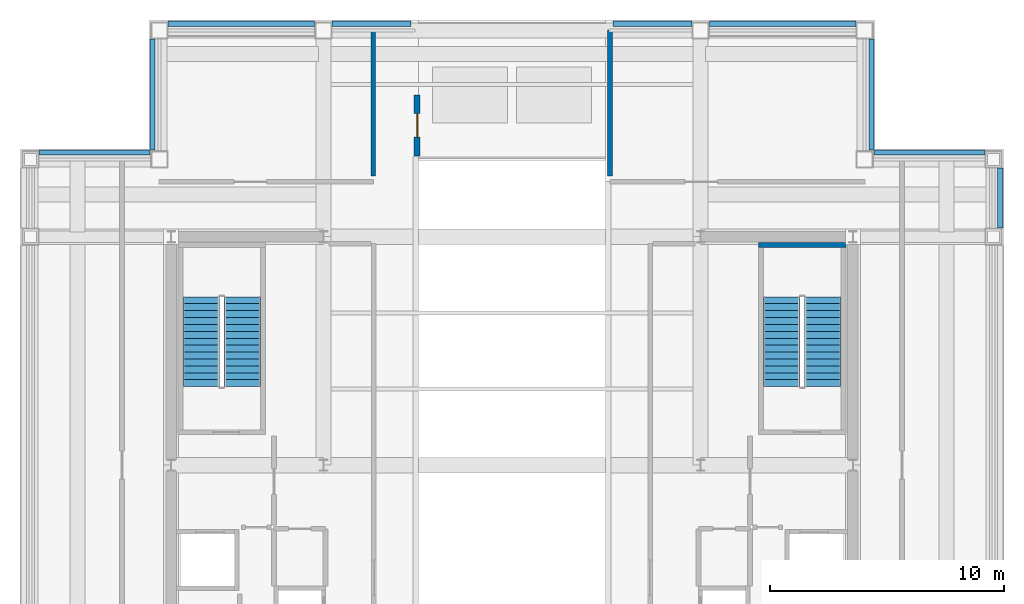
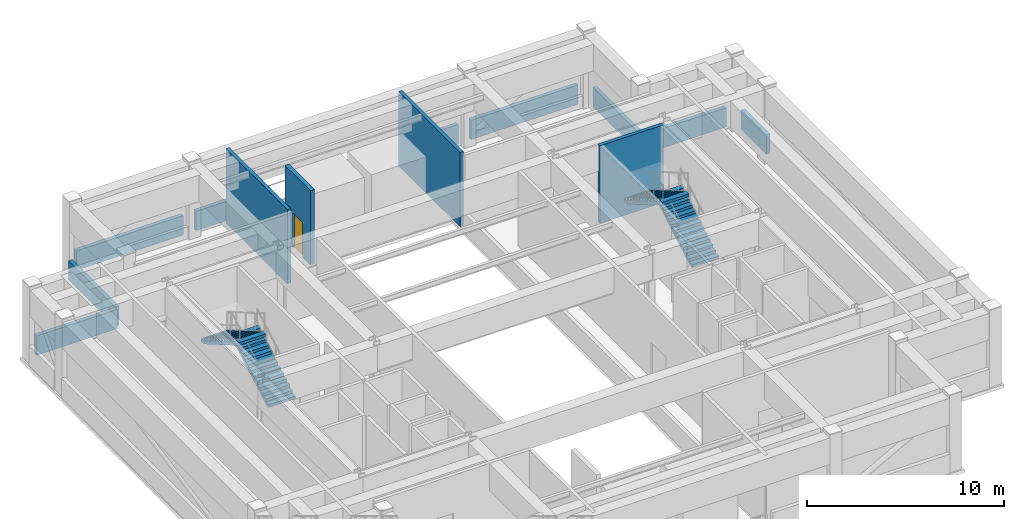
# One storey, part 5 of 8: 13 walls, 4 stair flights, 1 door, 1 opening, 2 elements without a shape of their own.
"""IFC4 building model written with IfcOpenShell, lengths in metres."""

from ifc_helpers import new_model, si_unit, direction, frame, frame_2d, origin, place, context, subcontext, project, spatial, polyline, rectangle, outline, extrude, material, layer, layer_set, type_object, element, fill, aggregate, save


model = new_model("IFC4")

# Units and contexts
model_context = context("Model", 3, precision=1e-05, world=origin(), true_north=direction((0.0, 1.0)))
body_context = subcontext(model_context, "Body", "Model", "MODEL_VIEW")
ifc_project = project(units=[si_unit("LENGTHUNIT", "METRE"), si_unit("AREAUNIT", "SQUARE_METRE"), si_unit("VOLUMEUNIT", "CUBIC_METRE"), si_unit("PLANEANGLEUNIT", "RADIAN"), si_unit("MASSUNIT", "GRAM", prefix="KILO")], contexts=[model_context])

# Site, building, storey
site_placement = place(None, origin())
site = spatial("IfcSite", under=ifc_project, at=site_placement, CompositionType="ELEMENT")
building_placement = place(site_placement, origin())
building = spatial("IfcBuilding", under=site, at=building_placement, Name="Brelmoor Portico Tower", CompositionType="ELEMENT")
storey_placement = place(building_placement, frame((0.0, 0.0, 209.10009765625)))
storey = spatial("IfcBuildingStorey", under=building, at=storey_placement, Name="L55", CompositionType="ELEMENT", Elevation=209.10009765625)

# Wall, opening, door
ifc_material_1 = material(Name="Precast Concrete C40 Insulated Facade Wall", Category="concrete")
ifc_layer_1 = layer(ifc_material_1, 0.25)
ifc_layer_set_1 = layer_set([ifc_layer_1], Name="Precast Concrete C40 Insulated Facade Wall")
wall_type_1 = type_object("IfcWallType", Name="WL-EXT-250", PredefinedType="STANDARD", material=ifc_layer_set_1)
wall_1_placement = place(storey_placement, frame((-4.050048828125, 13.199951171875, 0.0), z_axis=(0.0, 0.0, 1.0), x_axis=(0.0, 1.0, 0.0)))
wall_1 = element("IfcWall", 1, at=wall_1_placement, inside=storey, type_object=wall_type_1, Name="L55 Turbine Deck Access Wall N", PredefinedType="STANDARD", context=body_context, shape_type="SweptSolid", body=[
    extrude(rectangle(XDim=2.60009765625, YDim=0.25, at=frame_2d((1.300048828125, 0.0))), origin(), (0.0, 0.0, 1.0), 4.599853515625),
])
opening_placement = place(wall_1_placement, frame((0.800048828125, 0.0, 0.0)))
opening = element("IfcOpeningElement", 2, at=opening_placement, cuts=wall_1, Name="Opening D-DM1", PredefinedType="OPENING", context=body_context, shape_type="SweptSolid", body=[
    extrude(rectangle(XDim=1.0, YDim=2.14990234375, at=frame_2d((0.5, 1.074951171875))), frame((0.0, 0.135009765625, 0.0), z_axis=(0.0, -1.0, 0.0), x_axis=(1.0, 0.0, 0.0)), (0.0, 0.0, 1.0), 0.27001953125),
])
ifc_material_2 = material(Name="Weatherproof Galvanised Steel Deck Access Door", Category="steel")
door_type = type_object("IfcDoorType", Name="DR-DECK-MAINT-1000", OperationType="NOTDEFINED", PredefinedType="DOOR", material=ifc_material_2)
door_placement = place(opening_placement, origin())
door = element("IfcDoor", 3, at=door_placement, inside=storey, type_object=door_type, Name="D-2316 L55 Wind-Turbine Deck Maintenance Door N", OperationType="SINGLE_SWING_LEFT", OverallHeight=2.14990234375, OverallWidth=1.0, PredefinedType="DOOR", context=body_context, shape_type="SweptSolid", body=[
    extrude(rectangle(XDim=1.0, YDim=2.14990234375, at=frame_2d((0.5, 1.074951171875))), frame((0.0, 0.02490234375, 0.0), z_axis=(0.0, -1.0, 0.0), x_axis=(1.0, 0.0, 0.0)), (0.0, 0.0, 1.0), 0.050048828125),
])
fill(opening, door)

# Walls
ifc_material_3 = material(Name="Concrete C40 Parapet Upstand", Category="concrete")
ifc_layer_2 = layer(ifc_material_3, 0.219970703125)
ifc_layer_set_2 = layer_set([ifc_layer_2], Name="Concrete C40 Parapet Upstand")
wall_type_2 = type_object("IfcWallType", Name="WL-PARAPET-220", PredefinedType="PARAPET", material=ifc_layer_set_2)
wall_2_placement = place(storey_placement, frame((-14.679931640625, 18.840087890625, 0.0), z_axis=(0.0, 0.0, 1.0), x_axis=(1.0, 0.0, 0.0)))
element("IfcWall", 4, at=wall_2_placement, inside=storey, type_object=wall_type_2, Name="L55 Plant Louvre Perimeter Upstand 05", PredefinedType="PARAPET", context=body_context, shape_type="SweptSolid", body=[
    extrude(rectangle(XDim=6.260009765625, YDim=0.219970703125, at=frame_2d((3.1298828125, 0.0))), origin(), (0.0, 0.0, 1.0), 1.199951171875),
])
for number, where, z_axis, x_axis, name in (
    (5, (-7.679931640625, 18.840087890625, 0.0), (0.0, 0.0, 1.0), (1.0, 0.0, 0.0), "L55 Plant Louvre Perimeter Upstand 06"),
    (6, (4.320068359375, 18.840087890625, 0.0), (0.0, 0.0, 1.0), (1.0, 0.0, 0.0), "L55 Plant Louvre Perimeter Upstand 07"),
):
    element("IfcWall", number, at=place(storey_placement, frame(where, z_axis=z_axis, x_axis=x_axis)), inside=storey, type_object=wall_type_2, Name=name, PredefinedType="PARAPET", context=body_context, shape_type="SweptSolid", body=[
        extrude(rectangle(XDim=3.35986328125, YDim=0.219970703125, at=frame_2d((1.679931640625, 0.0))), origin(), (0.0, 0.0, 1.0), 1.199951171875),
    ])
wall_3_placement = place(storey_placement, frame((8.419921875, 18.840087890625, 0.0), z_axis=(0.0, 0.0, 1.0), x_axis=(1.0, 0.0, 0.0)))
element("IfcWall", 7, at=wall_3_placement, inside=storey, type_object=wall_type_2, Name="L55 Plant Louvre Perimeter Upstand 08", PredefinedType="PARAPET", context=body_context, shape_type="SweptSolid", body=[
    extrude(rectangle(XDim=6.260009765625, YDim=0.219970703125, at=frame_2d((3.1298828125, 0.0))), origin(), (0.0, 0.0, 1.0), 1.199951171875),
])
wall_4_placement = place(storey_placement, frame((20.840087890625, 10.1201171875, 0.0), z_axis=(0.0, 0.0, 1.0), x_axis=(0.0, 1.0, 0.0)))
element("IfcWall", 8, at=wall_4_placement, inside=storey, type_object=wall_type_2, Name="L55 Plant Louvre Perimeter Upstand 14", PredefinedType="PARAPET", context=body_context, shape_type="SweptSolid", body=[
    extrude(rectangle(XDim=2.559814453125, YDim=0.219970703125, at=frame_2d((1.27978515625, 0.0))), origin(), (0.0, 0.0, 1.0), 1.199951171875),
])
for number, where, z_axis, x_axis, name in (
    (9, (-15.340087890625, 13.4599609375, 0.0), (0.0, 0.0, 1.0), (0.0, 1.0, 0.0), "L55 Plant Louvre Perimeter Upstand 19"),
    (10, (-20.179931640625, 13.340087890625, 0.0), (0.0, 0.0, 1.0), (1.0, 0.0, 0.0), "L55 Plant Louvre Perimeter Upstand 20"),
    (11, (15.340087890625, 13.4599609375, 0.0), (0.0, 0.0, 1.0), (0.0, 1.0, 0.0), "L55 Plant Louvre Perimeter Upstand 21"),
    (12, (15.4599609375, 13.340087890625, 0.0), (0.0, 0.0, 1.0), (1.0, 0.0, 0.0), "L55 Plant Louvre Perimeter Upstand 22"),
):
    element("IfcWall", number, at=place(storey_placement, frame(where, z_axis=z_axis, x_axis=x_axis)), inside=storey, type_object=wall_type_2, Name=name, PredefinedType="PARAPET", context=body_context, shape_type="SweptSolid", body=[
        extrude(rectangle(XDim=4.719970703125, YDim=0.219970703125, at=frame_2d((2.35986328125, 0.0))), origin(), (0.0, 0.0, 1.0), 1.199951171875),
    ])
ifc_material_4 = material(Name="Double-Stud Gypsum Fire Partition", Category="gypsum")
ifc_layer_3 = layer(ifc_material_4, 0.199951171875)
ifc_layer_set_3 = layer_set([ifc_layer_3], Name="Double-Stud Gypsum Fire Partition")
wall_type_3 = type_object("IfcWallType", Name="WL-PART-200", PredefinedType="PARTITIONING", material=ifc_layer_set_3)
for number, where, z_axis, x_axis, name in (
    (13, (-5.919921875, 12.340087890625, 0.0), (0.0, 0.0, 1.0), (0.0, 1.0, 0.0), "L55 NW Slot End Wall"),
    (14, (4.179931640625, 12.340087890625, 0.0), (0.0, 0.0, 1.0), (0.0, 1.0, 0.0), "L55 NE Slot End Wall"),
):
    element("IfcWall", number, at=place(storey_placement, frame(where, z_axis=z_axis, x_axis=x_axis)), inside=storey, type_object=wall_type_3, Name=name, PredefinedType="PARTITIONING", context=body_context, shape_type="SweptSolid", body=[
        extrude(rectangle(XDim=6.22998046875, YDim=0.199951171875, at=frame_2d((3.114990234375, 0.0))), origin(), (0.0, 0.0, 1.0), 4.599853515625),
    ])
ifc_material_5 = material(Name="Concrete C40", Category="concrete")
ifc_layer_4 = layer(ifc_material_5, 0.199951171875)
ifc_layer_set_4 = layer_set([ifc_layer_4], Name="Concrete C40")
wall_type_4 = type_object("IfcWallType", Name="WL-SHAFT-RC200", PredefinedType="SOLIDWALL", material=ifc_layer_set_4)
wall_5_placement = place(storey_placement, frame((10.530029296875, 9.39990234375, -0.2001953125), z_axis=(0.0, 0.0, 1.0), x_axis=(1.0, 0.0, 0.0)))
element("IfcWall", 15, at=wall_5_placement, inside=storey, type_object=wall_type_4, Name="L55 ST-E Structural Stair Wall N", PredefinedType="SOLIDWALL", context=body_context, shape_type="SweptSolid", body=[
    extrude(rectangle(XDim=3.719970703125, YDim=0.199951171875, at=frame_2d((1.85986328125, 0.0))), origin(), (0.0, 0.0, 1.0), 4.800048828125),
])

# Stair, stair flights
stair_type_1 = type_object("IfcStairType", Name="ST-CORE-W", PredefinedType="HALF_TURN_STAIR", material=ifc_material_5)
stair_1_placement = place(storey_placement, origin())
stair_1 = element("IfcStair", 16, at=stair_1_placement, inside=storey, type_object=stair_type_1, Name="L55 Protected Core Exit Stair ST-W", PredefinedType="HALF_TURN_STAIR")
stair_flight_type = type_object("IfcStairFlightType", Name="SF-CORE-1850", PredefinedType="STRAIGHT", material=ifc_material_5)
stair_flight_1_placement = place(storey_placement, frame((-11.510009765625, 3.35009765625, 0.0), z_axis=(0.0, 0.0, 1.0), x_axis=(0.0, 1.0, 0.0)))
stair_flight_1 = element("IfcStairFlight", 17, at=stair_flight_1_placement, type_object=stair_flight_type, Name="ST-W flight 1", NumberOfRisers=14, NumberOfTreads=13, PredefinedType="STRAIGHT", RiserHeight=0.171428571, TreadLength=0.295, context=body_context, shape_type="SweptSolid", body=[
    extrude(outline(polyline([(0.0, 0.0), (0.0, 0.17138671875), (0.294921875, 0.17138671875), (0.294921875, 0.3427734375), (0.590087890625, 0.3427734375), (0.590087890625, 0.514404296875), (0.885009765625, 0.514404296875), (0.885009765625, 0.685791015625), (1.179931640625, 0.685791015625), (1.179931640625, 0.857177734375), (1.47509765625, 0.857177734375), (1.47509765625, 1.028564453125), (1.77001953125, 1.028564453125), (1.77001953125, 1.199951171875), (2.06494140625, 1.199951171875), (2.06494140625, 1.371337890625), (2.360107421875, 1.371337890625), (2.360107421875, 1.54296875), (2.655029296875, 1.54296875), (2.655029296875, 1.71435546875), (2.949951171875, 1.71435546875), (2.949951171875, 1.8857421875), (3.2451171875, 1.8857421875), (3.2451171875, 2.05712890625), (3.5400390625, 2.05712890625), (3.5400390625, 2.228515625), (3.8349609375, 2.228515625), (3.8349609375, 2.39990234375), (3.8349609375, 2.05517578125), (0.29833984375, 0.0), (0.0, 0.0)])), frame((0.0, 0.780029296875, 0.0), z_axis=(0.0, -1.0, 0.0), x_axis=(1.0, 0.0, 0.0)), (0.0, 0.0, 1.0), 1.56005859375),
])
stair_flight_2_placement = place(storey_placement, frame((-13.27001953125, 7.18505859375, 2.39990234375), z_axis=(0.0, 0.0, 1.0), x_axis=(0.0, -1.0, 0.0)))
stair_flight_2 = element("IfcStairFlight", 18, at=stair_flight_2_placement, type_object=stair_flight_type, Name="ST-W flight 2", NumberOfRisers=14, NumberOfTreads=13, PredefinedType="STRAIGHT", RiserHeight=0.171428571, TreadLength=0.295, context=body_context, shape_type="SweptSolid", body=[
    extrude(outline(polyline([(0.0, 0.0), (0.0, 0.17138671875), (0.294921875, 0.17138671875), (0.294921875, 0.3427734375), (0.590087890625, 0.3427734375), (0.590087890625, 0.514404296875), (0.885009765625, 0.514404296875), (0.885009765625, 0.685791015625), (1.179931640625, 0.685791015625), (1.179931640625, 0.857177734375), (1.47509765625, 0.857177734375), (1.47509765625, 1.028564453125), (1.77001953125, 1.028564453125), (1.77001953125, 1.199951171875), (2.06494140625, 1.199951171875), (2.06494140625, 1.371337890625), (2.360107421875, 1.371337890625), (2.360107421875, 1.54296875), (2.655029296875, 1.54296875), (2.655029296875, 1.71435546875), (2.949951171875, 1.71435546875), (2.949951171875, 1.8857421875), (3.2451171875, 1.8857421875), (3.2451171875, 2.05712890625), (3.5400390625, 2.05712890625), (3.5400390625, 2.228515625), (3.8349609375, 2.228515625), (3.8349609375, 2.39990234375), (3.8349609375, 2.05517578125), (0.29833984375, 0.0), (0.0, 0.0)])), frame((0.0, 0.780029296875, 0.0), z_axis=(0.0, -1.0, 0.0), x_axis=(1.0, 0.0, 0.0)), (0.0, 0.0, 1.0), 1.56005859375),
])
aggregate(stair_1, [stair_flight_1, stair_flight_2])

stair_type_2 = type_object("IfcStairType", Name="ST-CORE-E", PredefinedType="HALF_TURN_STAIR", material=ifc_material_5)
stair_2_placement = place(storey_placement, origin())
stair_2 = element("IfcStair", 19, at=stair_2_placement, inside=storey, type_object=stair_type_2, Name="L55 Protected Core Exit Stair ST-E", PredefinedType="HALF_TURN_STAIR")
stair_flight_3_placement = place(storey_placement, frame((13.27001953125, 3.35009765625, 0.0), z_axis=(0.0, 0.0, 1.0), x_axis=(0.0, 1.0, 0.0)))
stair_flight_3 = element("IfcStairFlight", 20, at=stair_flight_3_placement, type_object=stair_flight_type, Name="ST-E flight 1", NumberOfRisers=14, NumberOfTreads=13, PredefinedType="STRAIGHT", RiserHeight=0.171428571, TreadLength=0.295, context=body_context, shape_type="SweptSolid", body=[
    extrude(outline(polyline([(0.0, 0.0), (0.0, 0.17138671875), (0.294921875, 0.17138671875), (0.294921875, 0.3427734375), (0.590087890625, 0.3427734375), (0.590087890625, 0.514404296875), (0.885009765625, 0.514404296875), (0.885009765625, 0.685791015625), (1.179931640625, 0.685791015625), (1.179931640625, 0.857177734375), (1.47509765625, 0.857177734375), (1.47509765625, 1.028564453125), (1.77001953125, 1.028564453125), (1.77001953125, 1.199951171875), (2.06494140625, 1.199951171875), (2.06494140625, 1.371337890625), (2.360107421875, 1.371337890625), (2.360107421875, 1.54296875), (2.655029296875, 1.54296875), (2.655029296875, 1.71435546875), (2.949951171875, 1.71435546875), (2.949951171875, 1.8857421875), (3.2451171875, 1.8857421875), (3.2451171875, 2.05712890625), (3.5400390625, 2.05712890625), (3.5400390625, 2.228515625), (3.8349609375, 2.228515625), (3.8349609375, 2.39990234375), (3.8349609375, 2.05517578125), (0.29833984375, 0.0), (0.0, 0.0)])), frame((0.0, 0.780029296875, 0.0), z_axis=(0.0, -1.0, 0.0), x_axis=(1.0, 0.0, 0.0)), (0.0, 0.0, 1.0), 1.56005859375),
])
stair_flight_4_placement = place(storey_placement, frame((11.510009765625, 7.18505859375, 2.39990234375), z_axis=(0.0, 0.0, 1.0), x_axis=(0.0, -1.0, 0.0)))
stair_flight_4 = element("IfcStairFlight", 21, at=stair_flight_4_placement, type_object=stair_flight_type, Name="ST-E flight 2", NumberOfRisers=14, NumberOfTreads=13, PredefinedType="STRAIGHT", RiserHeight=0.171428571, TreadLength=0.295, context=body_context, shape_type="SweptSolid", body=[
    extrude(outline(polyline([(0.0, 0.0), (0.0, 0.17138671875), (0.294921875, 0.17138671875), (0.294921875, 0.3427734375), (0.590087890625, 0.3427734375), (0.590087890625, 0.514404296875), (0.885009765625, 0.514404296875), (0.885009765625, 0.685791015625), (1.179931640625, 0.685791015625), (1.179931640625, 0.857177734375), (1.47509765625, 0.857177734375), (1.47509765625, 1.028564453125), (1.77001953125, 1.028564453125), (1.77001953125, 1.199951171875), (2.06494140625, 1.199951171875), (2.06494140625, 1.371337890625), (2.360107421875, 1.371337890625), (2.360107421875, 1.54296875), (2.655029296875, 1.54296875), (2.655029296875, 1.71435546875), (2.949951171875, 1.71435546875), (2.949951171875, 1.8857421875), (3.2451171875, 1.8857421875), (3.2451171875, 2.05712890625), (3.5400390625, 2.05712890625), (3.5400390625, 2.228515625), (3.8349609375, 2.228515625), (3.8349609375, 2.39990234375), (3.8349609375, 2.05517578125), (0.29833984375, 0.0), (0.0, 0.0)])), frame((0.0, 0.780029296875, 0.0), z_axis=(0.0, -1.0, 0.0), x_axis=(1.0, 0.0, 0.0)), (0.0, 0.0, 1.0), 1.56005859375),
])
aggregate(stair_2, [stair_flight_3, stair_flight_4])

save(model, "model.ifc")
